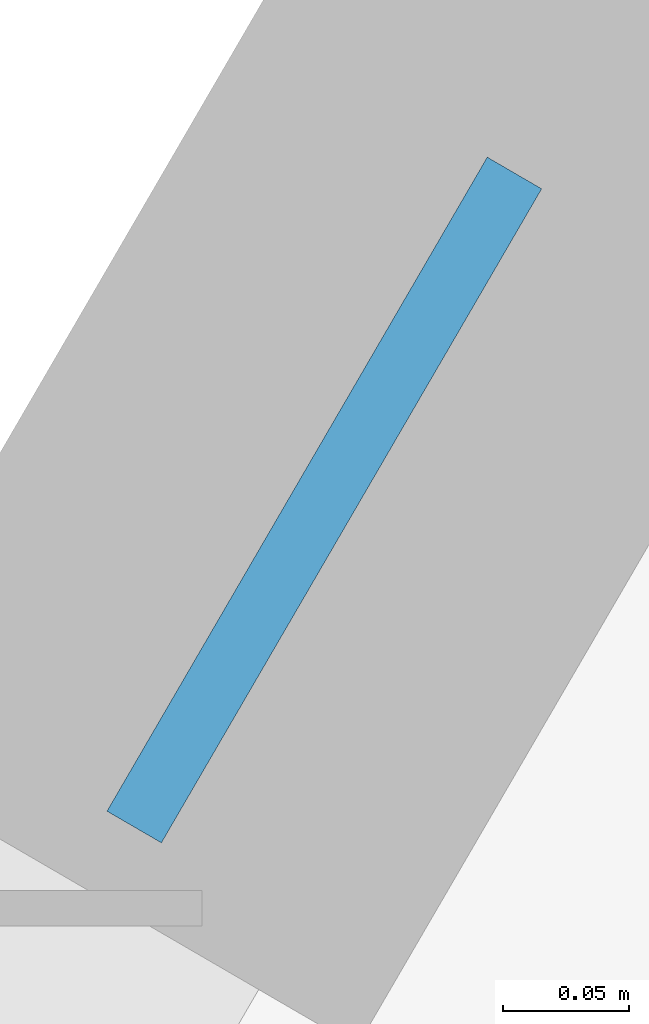
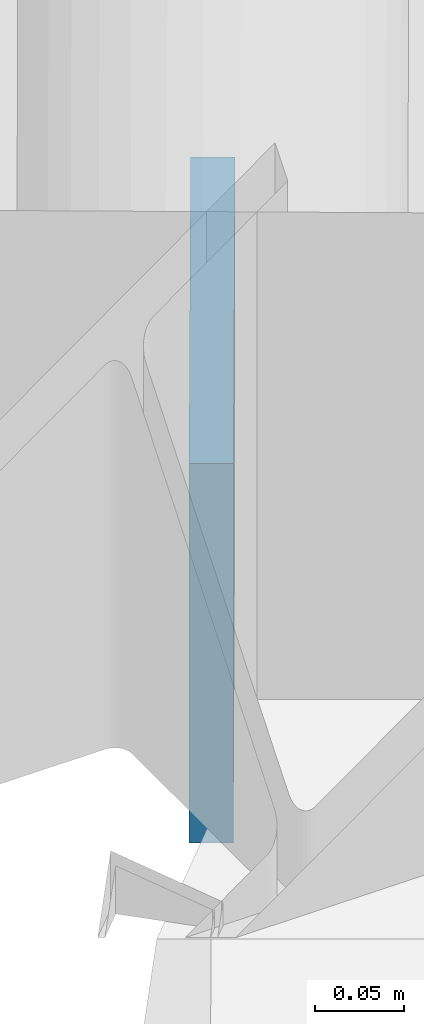
# One storey, part 108 of 134: 1 plate.
"""IFC4 building model written with IfcOpenShell, lengths in metres."""

from ifc_helpers import new_model, si_unit, direction, frame, origin, origin_2d, place, context, subcontext, project, spatial, rectangle, extrude, material, layer, layer_set, type_object, element, save


model = new_model("IFC4")

# Units and contexts
model_context = context("Model", 3, precision=1e-05, world=origin(), true_north=direction((0.0, 1.0)))
body_context = subcontext(model_context, "Body", "Model", "MODEL_VIEW")
ifc_project = project(units=[si_unit("LENGTHUNIT", "METRE"), si_unit("AREAUNIT", "SQUARE_METRE"), si_unit("VOLUMEUNIT", "CUBIC_METRE"), si_unit("PLANEANGLEUNIT", "RADIAN"), si_unit("MASSUNIT", "GRAM", prefix="KILO")], contexts=[model_context])

# Site, building, storey
site_placement = place(None, origin())
site = spatial("IfcSite", under=ifc_project, at=site_placement, CompositionType="ELEMENT")
building_placement = place(site_placement, origin())
building = spatial("IfcBuilding", under=site, at=building_placement, Name="Karori Crest Natural Sciences Institute", CompositionType="ELEMENT")
storey_placement = place(building_placement, frame((0.0, 0.0, 21.699951171875)))
storey = spatial("IfcBuildingStorey", under=building, at=storey_placement, Name="L05", CompositionType="ELEMENT", Elevation=21.699951171875)

# Plate
ifc_material = material(Name="Structural steel AS/NZS 3679.1 Grade 350", Category="steel")
ifc_layer = layer(ifc_material, 0.02490234375, Name="Structural steel AS/NZS 3679.1 Grade 350")
ifc_layer_set = layer_set([ifc_layer], Name="Structural steel AS/NZS 3679.1 Grade 350")
plate_type = type_object("IfcPlateType", Name="PLT-06", PredefinedType="SHEET", material=ifc_layer_set)
plate_placement = place(storey_placement, frame((83.80419921875, 27.390380859375, -0.11962890625), z_axis=(0.0, 0.0, 1.0), x_axis=(0.502651840669, 0.86448893982, 0.0)))
element("IfcPlate", 1, at=plate_placement, inside=storey, type_object=plate_type, Name="Brace gusset plate EP-0053", PredefinedType="SHEET", context=body_context, shape_type="SweptSolid", body=[
    extrude(rectangle(XDim=0.299072265625, YDim=0.02490234375, at=origin_2d()), origin(), (0.0, 0.0, 1.0), 0.259033203125),
])

save(model, "model.ifc")
